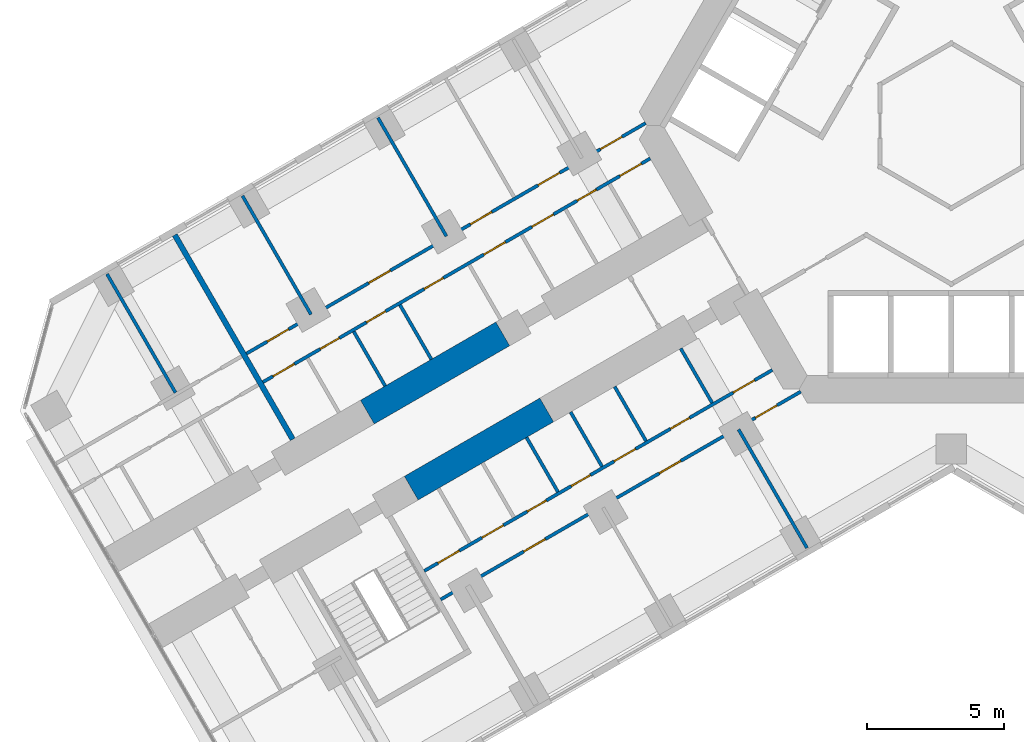
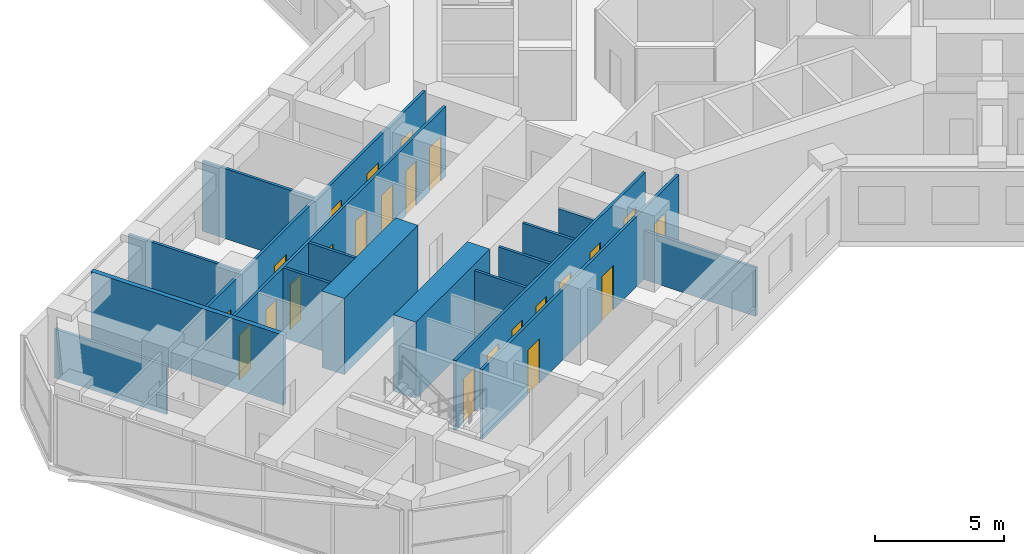
# One storey, part 11 of 21: 23 doors, 17 walls, 23 openings.
"""IFC4 building model written with IfcOpenShell, lengths in metres."""

from ifc_helpers import new_model, si_unit, direction, frame, frame_2d, origin, place, context, subcontext, project, spatial, rectangle, extrude, material, layer, layer_set, type_object, element, fill, save


model = new_model("IFC4")

# Units and contexts
model_context = context("Model", 3, precision=1e-05, world=origin(), true_north=direction((0.0, 1.0)))
body_context = subcontext(model_context, "Body", "Model", "MODEL_VIEW")
ifc_project = project(units=[si_unit("LENGTHUNIT", "METRE"), si_unit("AREAUNIT", "SQUARE_METRE"), si_unit("VOLUMEUNIT", "CUBIC_METRE"), si_unit("PLANEANGLEUNIT", "RADIAN"), si_unit("MASSUNIT", "GRAM", prefix="KILO")], contexts=[model_context])

# Site, building, storey
site_placement = place(None, origin())
site = spatial("IfcSite", under=ifc_project, at=site_placement, CompositionType="ELEMENT")
building_placement = place(site_placement, origin())
building = spatial("IfcBuilding", under=site, at=building_placement, Name="Kosmar Iwan School Tower", CompositionType="ELEMENT")
storey_placement = place(building_placement, frame((0.0, 0.0, 28.800048828125)))
storey = spatial("IfcBuildingStorey", under=building, at=storey_placement, Name="L06", CompositionType="ELEMENT", Elevation=28.800048828125)

# Walls
ifc_material_1 = material(Name="Concrete C50/60", Category="concrete")
ifc_layer_1 = layer(ifc_material_1, 1.0)
ifc_layer_set_1 = layer_set([ifc_layer_1], Name="Corridor buttress wall 1000")
wall_type_1 = type_object("IfcWallType", Name="Corridor buttress wall 1000", PredefinedType="SHEAR", material=ifc_layer_set_1)
for number, where, z_axis, x_axis, name in (
    (1, (-14.7451171875, -10.360595703125, 0.0), (0.0, 0.0, 1.0), (-0.866015111908, -0.50001782563, 0.0), "Corridor wall BL bay 2"),
    (2, (-16.34521484375, -7.58935546875, 0.0), (0.0, 0.0, 1.0), (-0.866015111908, -0.50001782563, 0.0), "Corridor wall BR bay 2"),
):
    element("IfcWall", number, at=place(storey_placement, frame(where, z_axis=z_axis, x_axis=x_axis)), inside=storey, type_object=wall_type_1, Name=name, PredefinedType="SHEAR", context=body_context, shape_type="SweptSolid", body=[
        extrude(rectangle(XDim=5.699951171875, YDim=1.0, at=frame_2d((2.85009765625, 0.0))), origin(), (0.0, 0.0, 1.0), 3.599853515625),
    ])

# Wall, openings, doors
ifc_material_2 = material(Name="Gypsum board on steel studs", Category="steel")
ifc_layer_2 = layer(ifc_material_2, 0.1201171875)
ifc_layer_set_2 = layer_set([ifc_layer_2], Name="Dwelling partition 120")
wall_type_2 = type_object("IfcWallType", Name="Dwelling partition 120", PredefinedType="PARTITIONING", material=ifc_layer_set_2)
wall_1_placement = place(storey_placement, frame((-6.521728515625, -8.90380859375, 0.0), z_axis=(0.0, 0.0, 1.0), x_axis=(-0.866030734856, -0.4999907662, 0.0)))
wall_1 = element("IfcWall", 3, at=wall_1_placement, inside=storey, type_object=wall_type_2, Name="Partition L06-BL1-W1", PredefinedType="PARTITIONING", context=body_context, shape_type="SweptSolid", body=[
    extrude(rectangle(XDim=14.650146484375, YDim=0.1201171875, at=frame_2d((7.3251953125, 0.0))), origin(), (0.0, 0.0, 1.0), 3.300048828125),
])
opening_1_placement = place(wall_1_placement, frame((0.75, 0.0, 0.0)))
opening_1 = element("IfcOpeningElement", 4, at=opening_1_placement, cuts=wall_1, Name="Opening D2", PredefinedType="OPENING", context=body_context, shape_type="SweptSolid", body=[
    extrude(rectangle(XDim=0.89990234375, YDim=2.10009765625, at=frame_2d((0.449951171875, 1.050048828125))), frame((0.0, 0.072021484375, 0.0), z_axis=(0.0, -1.0, 0.0), x_axis=(1.0, 0.0, 0.0)), (0.0, 0.0, 1.0), 0.14404296875),
])
opening_2_placement = place(wall_1_placement, frame((3.490478515625, 0.0, 0.0)))
opening_2 = element("IfcOpeningElement", 5, at=opening_2_placement, cuts=wall_1, Name="Opening D3", PredefinedType="OPENING", context=body_context, shape_type="SweptSolid", body=[
    extrude(rectangle(XDim=0.800048828125, YDim=2.10009765625, at=frame_2d((0.39990234375, 1.050048828125))), frame((0.0, 0.072021484375, 0.0), z_axis=(0.0, -1.0, 0.0), x_axis=(1.0, 0.0, 0.0)), (0.0, 0.0, 1.0), 0.14404296875),
])
opening_3_placement = place(wall_1_placement, frame((5.7578125, 0.0, 0.0)))
opening_3 = element("IfcOpeningElement", 6, at=opening_3_placement, cuts=wall_1, Name="Opening D2", PredefinedType="OPENING", context=body_context, shape_type="SweptSolid", body=[
    extrude(rectangle(XDim=0.89990234375, YDim=2.10009765625, at=frame_2d((0.449951171875, 1.050048828125))), frame((0.0, 0.072021484375, 0.0), z_axis=(0.0, -1.0, 0.0), x_axis=(1.0, 0.0, 0.0)), (0.0, 0.0, 1.0), 0.14404296875),
])
opening_4_placement = place(wall_1_placement, frame((7.66162109375, 0.0, 0.0)))
opening_4 = element("IfcOpeningElement", 7, at=opening_4_placement, cuts=wall_1, Name="Opening D3", PredefinedType="OPENING", context=body_context, shape_type="SweptSolid", body=[
    extrude(rectangle(XDim=0.800048828125, YDim=2.10009765625, at=frame_2d((0.39990234375, 1.050048828125))), frame((0.0, 0.072021484375, 0.0), z_axis=(0.0, -1.0, 0.0), x_axis=(1.0, 0.0, 0.0)), (0.0, 0.0, 1.0), 0.14404296875),
])
opening_5_placement = place(wall_1_placement, frame((9.515380859375, 0.0, 0.0)))
opening_5 = element("IfcOpeningElement", 8, at=opening_5_placement, cuts=wall_1, Name="Opening D3", PredefinedType="OPENING", context=body_context, shape_type="SweptSolid", body=[
    extrude(rectangle(XDim=0.800048828125, YDim=2.10009765625, at=frame_2d((0.39990234375, 1.050048828125))), frame((0.0, 0.072021484375, 0.0), z_axis=(0.0, -1.0, 0.0), x_axis=(1.0, 0.0, 0.0)), (0.0, 0.0, 1.0), 0.14404296875),
])
opening_6_placement = place(wall_1_placement, frame((11.3193359375, 0.0, 0.0)))
opening_6 = element("IfcOpeningElement", 9, at=opening_6_placement, cuts=wall_1, Name="Opening D2", PredefinedType="OPENING", context=body_context, shape_type="SweptSolid", body=[
    extrude(rectangle(XDim=0.89990234375, YDim=2.10009765625, at=frame_2d((0.449951171875, 1.050048828125))), frame((0.0, 0.072021484375, 0.0), z_axis=(0.0, -1.0, 0.0), x_axis=(1.0, 0.0, 0.0)), (0.0, 0.0, 1.0), 0.14404296875),
])
opening_7_placement = place(wall_1_placement, frame((13.173095703125, 0.0, 0.0)))
opening_7 = element("IfcOpeningElement", 10, at=opening_7_placement, cuts=wall_1, Name="Opening D2", PredefinedType="OPENING", context=body_context, shape_type="SweptSolid", body=[
    extrude(rectangle(XDim=0.89990234375, YDim=2.10009765625, at=frame_2d((0.449951171875, 1.050048828125))), frame((0.0, 0.072021484375, 0.0), z_axis=(0.0, -1.0, 0.0), x_axis=(1.0, 0.0, 0.0)), (0.0, 0.0, 1.0), 0.14404296875),
])
ifc_material_3 = material(Name="Timber door in timber frame", Category="wood")
door_type_1 = type_object("IfcDoorType", Name="Internal door 900x2100", OperationType="SINGLE_SWING_LEFT", PredefinedType="DOOR", material=ifc_material_3)
door_1_placement = place(opening_1_placement, origin())
door_1 = element("IfcDoor", 11, at=door_1_placement, inside=storey, type_object=door_type_1, Name="Entrance hall door L06-BL1-S1", OperationType="SINGLE_SWING_LEFT", OverallHeight=2.10009765625, OverallWidth=0.89990234375, PredefinedType="DOOR", context=body_context, shape_type="SweptSolid", body=[
    extrude(rectangle(XDim=0.89990234375, YDim=2.10009765625, at=frame_2d((0.449951171875, 1.050048828125))), frame((0.0, 0.02490234375, 0.0), z_axis=(0.0, -1.0, 0.0), x_axis=(1.0, 0.0, 0.0)), (0.0, 0.0, 1.0), 0.050048828125),
])
fill(opening_1, door_1)
door_2_placement = place(opening_3_placement, origin())
door_2 = element("IfcDoor", 12, at=door_2_placement, inside=storey, type_object=door_type_1, Name="Pantry door L06-BL1-S3", OperationType="SINGLE_SWING_LEFT", OverallHeight=2.10009765625, OverallWidth=0.89990234375, PredefinedType="DOOR", context=body_context, shape_type="SweptSolid", body=[
    extrude(rectangle(XDim=0.89990234375, YDim=2.10009765625, at=frame_2d((0.449951171875, 1.050048828125))), frame((0.0, 0.02490234375, 0.0), z_axis=(0.0, -1.0, 0.0), x_axis=(1.0, 0.0, 0.0)), (0.0, 0.0, 1.0), 0.050048828125),
])
fill(opening_3, door_2)
door_3_placement = place(opening_6_placement, origin())
door_3 = element("IfcDoor", 13, at=door_3_placement, inside=storey, type_object=door_type_1, Name="Utility room door L06-BL1-S6", OperationType="SINGLE_SWING_RIGHT", OverallHeight=2.10009765625, OverallWidth=0.89990234375, PredefinedType="DOOR", context=body_context, shape_type="SweptSolid", body=[
    extrude(rectangle(XDim=0.89990234375, YDim=2.10009765625, at=frame_2d((0.449951171875, 1.050048828125))), frame((0.0, 0.02490234375, 0.0), z_axis=(0.0, -1.0, 0.0), x_axis=(1.0, 0.0, 0.0)), (0.0, 0.0, 1.0), 0.050048828125),
])
fill(opening_6, door_3)
door_4_placement = place(opening_7_placement, frame((0.89990234375, 0.0, 0.0), z_axis=(0.0, 0.0, 1.0), x_axis=(-1.0, 0.0, 0.0)))
door_4 = element("IfcDoor", 14, at=door_4_placement, inside=storey, type_object=door_type_1, Name="Dressing room door L06-BL1-S7", OperationType="SINGLE_SWING_LEFT", OverallHeight=2.10009765625, OverallWidth=0.89990234375, PredefinedType="DOOR", context=body_context, shape_type="SweptSolid", body=[
    extrude(rectangle(XDim=0.89990234375, YDim=2.10009765625, at=frame_2d((0.449951171875, 1.050048828125))), frame((0.0, 0.02490234375, 0.0), z_axis=(0.0, -1.0, 0.0), x_axis=(1.0, 0.0, 0.0)), (0.0, 0.0, 1.0), 0.050048828125),
])
fill(opening_7, door_4)
ifc_material_4 = material(Name="Timber door in timber frame", Category="wood")
door_type_2 = type_object("IfcDoorType", Name="Sanitary room door 800x2100", OperationType="SINGLE_SWING_LEFT", PredefinedType="DOOR", material=ifc_material_4)
door_5_placement = place(opening_2_placement, origin())
door_5 = element("IfcDoor", 15, at=door_5_placement, inside=storey, type_object=door_type_2, Name="Bathroom door L06-BL1-S2", OperationType="SINGLE_SWING_LEFT", OverallHeight=2.10009765625, OverallWidth=0.800048828125, PredefinedType="DOOR", context=body_context, shape_type="SweptSolid", body=[
    extrude(rectangle(XDim=0.800048828125, YDim=2.10009765625, at=frame_2d((0.39990234375, 1.050048828125))), frame((0.0, 0.02490234375, 0.0), z_axis=(0.0, -1.0, 0.0), x_axis=(1.0, 0.0, 0.0)), (0.0, 0.0, 1.0), 0.050048828125),
])
fill(opening_2, door_5)
door_6_placement = place(opening_4_placement, origin())
door_6 = element("IfcDoor", 16, at=door_6_placement, inside=storey, type_object=door_type_2, Name="WC door L06-BL1-S4", OperationType="SINGLE_SWING_RIGHT", OverallHeight=2.10009765625, OverallWidth=0.800048828125, PredefinedType="DOOR", context=body_context, shape_type="SweptSolid", body=[
    extrude(rectangle(XDim=0.800048828125, YDim=2.10009765625, at=frame_2d((0.39990234375, 1.050048828125))), frame((0.0, 0.02490234375, 0.0), z_axis=(0.0, -1.0, 0.0), x_axis=(1.0, 0.0, 0.0)), (0.0, 0.0, 1.0), 0.050048828125),
])
fill(opening_4, door_6)
door_7_placement = place(opening_5_placement, origin())
door_7 = element("IfcDoor", 17, at=door_7_placement, inside=storey, type_object=door_type_2, Name="Store door L06-BL1-S5", OperationType="SINGLE_SWING_RIGHT", OverallHeight=2.10009765625, OverallWidth=0.800048828125, PredefinedType="DOOR", context=body_context, shape_type="SweptSolid", body=[
    extrude(rectangle(XDim=0.800048828125, YDim=2.10009765625, at=frame_2d((0.39990234375, 1.050048828125))), frame((0.0, 0.02490234375, 0.0), z_axis=(0.0, -1.0, 0.0), x_axis=(1.0, 0.0, 0.0)), (0.0, 0.0, 1.0), 0.050048828125),
])
fill(opening_5, door_7)

wall_2_placement = place(storey_placement, frame((-5.48876953125, -9.693115234375, 0.0), z_axis=(0.0, 0.0, 1.0), x_axis=(-0.866028061085, -0.499995397393, 0.0)))
wall_2 = element("IfcWall", 18, at=wall_2_placement, inside=storey, type_object=wall_type_2, Name="Partition L06-BL1-W2", PredefinedType="PARTITIONING", context=body_context, shape_type="SweptSolid", body=[
    extrude(rectangle(XDim=15.150146484375, YDim=0.1201171875, at=frame_2d((7.5751953125, 0.0))), origin(), (0.0, 0.0, 1.0), 3.300048828125),
])
opening_8_placement = place(wall_2_placement, frame((1.0, 0.0, 0.0)))
opening_8 = element("IfcOpeningElement", 19, at=opening_8_placement, cuts=wall_2, Name="Opening D2", PredefinedType="OPENING", context=body_context, shape_type="SweptSolid", body=[
    extrude(rectangle(XDim=0.89990234375, YDim=2.10009765625, at=frame_2d((0.449951171875, 1.050048828125))), frame((0.0, 0.072021484375, 0.0), z_axis=(0.0, -1.0, 0.0), x_axis=(1.0, 0.0, 0.0)), (0.0, 0.0, 1.0), 0.14404296875),
])
opening_9_placement = place(wall_2_placement, frame((5.050048828125, 0.0, 0.0)))
opening_9 = element("IfcOpeningElement", 20, at=opening_9_placement, cuts=wall_2, Name="Opening D2", PredefinedType="OPENING", context=body_context, shape_type="SweptSolid", body=[
    extrude(rectangle(XDim=0.89990234375, YDim=2.10009765625, at=frame_2d((0.449951171875, 1.050048828125))), frame((0.0, 0.072021484375, 0.0), z_axis=(0.0, -1.0, 0.0), x_axis=(1.0, 0.0, 0.0)), (0.0, 0.0, 1.0), 0.14404296875),
])
opening_10_placement = place(wall_2_placement, frame((10.75, 0.0, 0.0)))
opening_10 = element("IfcOpeningElement", 21, at=opening_10_placement, cuts=wall_2, Name="Opening D2", PredefinedType="OPENING", context=body_context, shape_type="SweptSolid", body=[
    extrude(rectangle(XDim=0.89990234375, YDim=2.10009765625, at=frame_2d((0.449951171875, 1.050048828125))), frame((0.0, 0.072021484375, 0.0), z_axis=(0.0, -1.0, 0.0), x_axis=(1.0, 0.0, 0.0)), (0.0, 0.0, 1.0), 0.14404296875),
])
door_8_placement = place(opening_8_placement, origin())
door_8 = element("IfcDoor", 22, at=door_8_placement, inside=storey, type_object=door_type_1, Name="Bedroom 1 door L06-BL1-F1", OperationType="SINGLE_SWING_LEFT", OverallHeight=2.10009765625, OverallWidth=0.89990234375, PredefinedType="DOOR", context=body_context, shape_type="SweptSolid", body=[
    extrude(rectangle(XDim=0.89990234375, YDim=2.10009765625, at=frame_2d((0.449951171875, 1.050048828125))), frame((0.0, 0.02490234375, 0.0), z_axis=(0.0, -1.0, 0.0), x_axis=(1.0, 0.0, 0.0)), (0.0, 0.0, 1.0), 0.050048828125),
])
fill(opening_8, door_8)
door_9_placement = place(opening_9_placement, origin())
door_9 = element("IfcDoor", 23, at=door_9_placement, inside=storey, type_object=door_type_1, Name="Study door L06-BL1-F2", OperationType="SINGLE_SWING_RIGHT", OverallHeight=2.10009765625, OverallWidth=0.89990234375, PredefinedType="DOOR", context=body_context, shape_type="SweptSolid", body=[
    extrude(rectangle(XDim=0.89990234375, YDim=2.10009765625, at=frame_2d((0.449951171875, 1.050048828125))), frame((0.0, 0.02490234375, 0.0), z_axis=(0.0, -1.0, 0.0), x_axis=(1.0, 0.0, 0.0)), (0.0, 0.0, 1.0), 0.050048828125),
])
fill(opening_9, door_9)
door_10_placement = place(opening_10_placement, origin())
door_10 = element("IfcDoor", 24, at=door_10_placement, inside=storey, type_object=door_type_1, Name="Living room and kitchen door L06-BL1-F3", OperationType="SINGLE_SWING_LEFT", OverallHeight=2.10009765625, OverallWidth=0.89990234375, PredefinedType="DOOR", context=body_context, shape_type="SweptSolid", body=[
    extrude(rectangle(XDim=0.89990234375, YDim=2.10009765625, at=frame_2d((0.449951171875, 1.050048828125))), frame((0.0, 0.02490234375, 0.0), z_axis=(0.0, -1.0, 0.0), x_axis=(1.0, 0.0, 0.0)), (0.0, 0.0, 1.0), 0.050048828125),
])
fill(opening_10, door_10)

# Walls
wall_3_placement = place(storey_placement, frame((-7.75390625, -11.070068359375, 0.0), z_axis=(0.0, 0.0, 1.0), x_axis=(0.500033033937, -0.866006330792, 0.0)))
element("IfcWall", 25, at=wall_3_placement, inside=storey, type_object=wall_type_2, Name="Partition L06-BL1-X1", PredefinedType="PARTITIONING", context=body_context, shape_type="SweptSolid", body=[
    extrude(rectangle(XDim=4.989990234375, YDim=0.1201171875, at=frame_2d((2.4951171875, 0.0))), origin(), (0.0, 0.0, 1.0), 2.300048828125),
])
wall_4_placement = place(storey_placement, frame((-9.86181640625, -8.11865234375, 0.0), z_axis=(0.0, 0.0, 1.0), x_axis=(0.500014693593, -0.866016920268, 0.0)))
element("IfcWall", 26, at=wall_4_placement, inside=storey, type_object=wall_type_2, Name="Partition L06-BL1-Y1", PredefinedType="PARTITIONING", context=body_context, shape_type="SweptSolid", body=[
    extrude(rectangle(XDim=2.2900390625, YDim=0.1201171875, at=frame_2d((1.14501953125, 0.0))), origin(), (0.0, 0.0, 1.0), 2.300048828125),
])
for number, where, z_axis, x_axis, name in (
    (27, (-12.270263671875, -9.509033203125, 0.0), (0.0, 0.0, 1.0), (0.500014693593, -0.866016920268, 0.0), "Partition L06-BL1-Y2"),
    (28, (-13.875732421875, -10.43603515625, 0.0), (0.0, 0.0, 1.0), (0.500014693593, -0.866016920268, 0.0), "Partition L06-BL1-Y3"),
):
    element("IfcWall", number, at=place(storey_placement, frame(where, z_axis=z_axis, x_axis=x_axis)), inside=storey, type_object=wall_type_2, Name=name, PredefinedType="PARTITIONING", context=body_context, shape_type="SweptSolid", body=[
        extrude(rectangle(XDim=2.2900390625, YDim=0.1201171875, at=frame_2d((1.14501953125, 0.0))), origin(), (0.0, 0.0, 1.0), 3.300048828125),
    ])
wall_5_placement = place(storey_placement, frame((-15.481201171875, -11.36279296875, 0.0), z_axis=(0.0, 0.0, 1.0), x_axis=(0.499968531483, -0.866043571379, 0.0)))
element("IfcWall", 29, at=wall_5_placement, inside=storey, type_object=wall_type_2, Name="Partition L06-BL1-Y4", PredefinedType="PARTITIONING", context=body_context, shape_type="SweptSolid", body=[
    extrude(rectangle(XDim=2.290283203125, YDim=0.1201171875, at=frame_2d((1.14501953125, 0.0))), origin(), (0.0, 0.0, 1.0), 3.300048828125),
])

# Wall, openings, doors
wall_6_placement = place(storey_placement, frame((-10.971923828125, -1.1962890625, 0.0), z_axis=(0.0, 0.0, 1.0), x_axis=(-0.866027949815, -0.49999559012, 0.0)))
wall_6 = element("IfcWall", 30, at=wall_6_placement, inside=storey, type_object=wall_type_2, Name="Partition L06-BR1-W1", PredefinedType="PARTITIONING", context=body_context, shape_type="SweptSolid", body=[
    extrude(rectangle(XDim=16.300048828125, YDim=0.1201171875, at=frame_2d((8.14990234375, 0.0))), origin(), (0.0, 0.0, 1.0), 3.300048828125),
])
opening_11_placement = place(wall_6_placement, frame((0.375, 0.0, 0.0)))
opening_11 = element("IfcOpeningElement", 31, at=opening_11_placement, cuts=wall_6, Name="Opening D2", PredefinedType="OPENING", context=body_context, shape_type="SweptSolid", body=[
    extrude(rectangle(XDim=0.89990234375, YDim=2.10009765625, at=frame_2d((0.449951171875, 1.050048828125))), frame((0.0, 0.072021484375, 0.0), z_axis=(0.0, -1.0, 0.0), x_axis=(1.0, 0.0, 0.0)), (0.0, 0.0, 1.0), 0.14404296875),
])
opening_12_placement = place(wall_6_placement, frame((2.27490234375, 0.0, 0.0)))
opening_12 = element("IfcOpeningElement", 32, at=opening_12_placement, cuts=wall_6, Name="Opening D3", PredefinedType="OPENING", context=body_context, shape_type="SweptSolid", body=[
    extrude(rectangle(XDim=0.800048828125, YDim=2.10009765625, at=frame_2d((0.39990234375, 1.050048828125))), frame((0.0, 0.072021484375, 0.0), z_axis=(0.0, -1.0, 0.0), x_axis=(1.0, 0.0, 0.0)), (0.0, 0.0, 1.0), 0.14404296875),
])
opening_13_placement = place(wall_6_placement, frame((4.074951171875, 0.0, 0.0)))
opening_13 = element("IfcOpeningElement", 33, at=opening_13_placement, cuts=wall_6, Name="Opening D2", PredefinedType="OPENING", context=body_context, shape_type="SweptSolid", body=[
    extrude(rectangle(XDim=0.89990234375, YDim=2.10009765625, at=frame_2d((0.449951171875, 1.050048828125))), frame((0.0, 0.072021484375, 0.0), z_axis=(0.0, -1.0, 0.0), x_axis=(1.0, 0.0, 0.0)), (0.0, 0.0, 1.0), 0.14404296875),
])
opening_14_placement = place(wall_6_placement, frame((6.10009765625, 0.0, 0.0)))
opening_14 = element("IfcOpeningElement", 34, at=opening_14_placement, cuts=wall_6, Name="Opening D2", PredefinedType="OPENING", context=body_context, shape_type="SweptSolid", body=[
    extrude(rectangle(XDim=0.89990234375, YDim=2.10009765625, at=frame_2d((0.449951171875, 1.050048828125))), frame((0.0, 0.072021484375, 0.0), z_axis=(0.0, -1.0, 0.0), x_axis=(1.0, 0.0, 0.0)), (0.0, 0.0, 1.0), 0.14404296875),
])
opening_15_placement = place(wall_6_placement, frame((8.708251953125, 0.0, 0.0)))
opening_15 = element("IfcOpeningElement", 35, at=opening_15_placement, cuts=wall_6, Name="Opening D3", PredefinedType="OPENING", context=body_context, shape_type="SweptSolid", body=[
    extrude(rectangle(XDim=0.800048828125, YDim=2.10009765625, at=frame_2d((0.39990234375, 1.050048828125))), frame((0.0, 0.072021484375, 0.0), z_axis=(0.0, -1.0, 0.0), x_axis=(1.0, 0.0, 0.0)), (0.0, 0.0, 1.0), 0.14404296875),
])
opening_16_placement = place(wall_6_placement, frame((11.138916015625, 0.0, 0.0)))
opening_16 = element("IfcOpeningElement", 36, at=opening_16_placement, cuts=wall_6, Name="Opening D3", PredefinedType="OPENING", context=body_context, shape_type="SweptSolid", body=[
    extrude(rectangle(XDim=0.800048828125, YDim=2.10009765625, at=frame_2d((0.39990234375, 1.050048828125))), frame((0.0, 0.072021484375, 0.0), z_axis=(0.0, -1.0, 0.0), x_axis=(1.0, 0.0, 0.0)), (0.0, 0.0, 1.0), 0.14404296875),
])
opening_17_placement = place(wall_6_placement, frame((13.083251953125, 0.0, 0.0)))
opening_17 = element("IfcOpeningElement", 37, at=opening_17_placement, cuts=wall_6, Name="Opening D3", PredefinedType="OPENING", context=body_context, shape_type="SweptSolid", body=[
    extrude(rectangle(XDim=0.800048828125, YDim=2.10009765625, at=frame_2d((0.39990234375, 1.050048828125))), frame((0.0, 0.072021484375, 0.0), z_axis=(0.0, -1.0, 0.0), x_axis=(1.0, 0.0, 0.0)), (0.0, 0.0, 1.0), 0.14404296875),
])
opening_18_placement = place(wall_6_placement, frame((14.977783203125, 0.0, 0.0)))
opening_18 = element("IfcOpeningElement", 38, at=opening_18_placement, cuts=wall_6, Name="Opening D2", PredefinedType="OPENING", context=body_context, shape_type="SweptSolid", body=[
    extrude(rectangle(XDim=0.89990234375, YDim=2.10009765625, at=frame_2d((0.449951171875, 1.050048828125))), frame((0.0, 0.072021484375, 0.0), z_axis=(0.0, -1.0, 0.0), x_axis=(1.0, 0.0, 0.0)), (0.0, 0.0, 1.0), 0.14404296875),
])
door_11_placement = place(opening_11_placement, origin())
door_11 = element("IfcDoor", 39, at=door_11_placement, inside=storey, type_object=door_type_1, Name="Dressing room door L06-BR1-S1", OperationType="SINGLE_SWING_LEFT", OverallHeight=2.10009765625, OverallWidth=0.89990234375, PredefinedType="DOOR", context=body_context, shape_type="SweptSolid", body=[
    extrude(rectangle(XDim=0.89990234375, YDim=2.10009765625, at=frame_2d((0.449951171875, 1.050048828125))), frame((0.0, 0.02490234375, 0.0), z_axis=(0.0, -1.0, 0.0), x_axis=(1.0, 0.0, 0.0)), (0.0, 0.0, 1.0), 0.050048828125),
])
fill(opening_11, door_11)
door_12_placement = place(opening_13_placement, origin())
door_12 = element("IfcDoor", 40, at=door_12_placement, inside=storey, type_object=door_type_1, Name="Pantry door L06-BR1-S3", OperationType="SINGLE_SWING_LEFT", OverallHeight=2.10009765625, OverallWidth=0.89990234375, PredefinedType="DOOR", context=body_context, shape_type="SweptSolid", body=[
    extrude(rectangle(XDim=0.89990234375, YDim=2.10009765625, at=frame_2d((0.449951171875, 1.050048828125))), frame((0.0, 0.02490234375, 0.0), z_axis=(0.0, -1.0, 0.0), x_axis=(1.0, 0.0, 0.0)), (0.0, 0.0, 1.0), 0.050048828125),
])
fill(opening_13, door_12)
door_13_placement = place(opening_14_placement, origin())
door_13 = element("IfcDoor", 41, at=door_13_placement, inside=storey, type_object=door_type_1, Name="Entrance hall door L06-BR1-S4", OperationType="SINGLE_SWING_RIGHT", OverallHeight=2.10009765625, OverallWidth=0.89990234375, PredefinedType="DOOR", context=body_context, shape_type="SweptSolid", body=[
    extrude(rectangle(XDim=0.89990234375, YDim=2.10009765625, at=frame_2d((0.449951171875, 1.050048828125))), frame((0.0, 0.02490234375, 0.0), z_axis=(0.0, -1.0, 0.0), x_axis=(1.0, 0.0, 0.0)), (0.0, 0.0, 1.0), 0.050048828125),
])
fill(opening_14, door_13)
door_14_placement = place(opening_18_placement, origin())
door_14 = element("IfcDoor", 42, at=door_14_placement, inside=storey, type_object=door_type_1, Name="Utility room door L06-BR1-S8", OperationType="SINGLE_SWING_RIGHT", OverallHeight=2.10009765625, OverallWidth=0.89990234375, PredefinedType="DOOR", context=body_context, shape_type="SweptSolid", body=[
    extrude(rectangle(XDim=0.89990234375, YDim=2.10009765625, at=frame_2d((0.449951171875, 1.050048828125))), frame((0.0, 0.02490234375, 0.0), z_axis=(0.0, -1.0, 0.0), x_axis=(1.0, 0.0, 0.0)), (0.0, 0.0, 1.0), 0.050048828125),
])
fill(opening_18, door_14)
door_15_placement = place(opening_12_placement, origin())
door_15 = element("IfcDoor", 43, at=door_15_placement, inside=storey, type_object=door_type_2, Name="Store door L06-BR1-S2", OperationType="SINGLE_SWING_RIGHT", OverallHeight=2.10009765625, OverallWidth=0.800048828125, PredefinedType="DOOR", context=body_context, shape_type="SweptSolid", body=[
    extrude(rectangle(XDim=0.800048828125, YDim=2.10009765625, at=frame_2d((0.39990234375, 1.050048828125))), frame((0.0, 0.02490234375, 0.0), z_axis=(0.0, -1.0, 0.0), x_axis=(1.0, 0.0, 0.0)), (0.0, 0.0, 1.0), 0.050048828125),
])
fill(opening_12, door_15)
door_16_placement = place(opening_15_placement, origin())
door_16 = element("IfcDoor", 44, at=door_16_placement, inside=storey, type_object=door_type_2, Name="Bathroom door L06-BR1-S5", OperationType="SINGLE_SWING_LEFT", OverallHeight=2.10009765625, OverallWidth=0.800048828125, PredefinedType="DOOR", context=body_context, shape_type="SweptSolid", body=[
    extrude(rectangle(XDim=0.800048828125, YDim=2.10009765625, at=frame_2d((0.39990234375, 1.050048828125))), frame((0.0, 0.02490234375, 0.0), z_axis=(0.0, -1.0, 0.0), x_axis=(1.0, 0.0, 0.0)), (0.0, 0.0, 1.0), 0.050048828125),
])
fill(opening_15, door_16)
door_17_placement = place(opening_16_placement, origin())
door_17 = element("IfcDoor", 45, at=door_17_placement, inside=storey, type_object=door_type_2, Name="Shower room door L06-BR1-S6", OperationType="SINGLE_SWING_RIGHT", OverallHeight=2.10009765625, OverallWidth=0.800048828125, PredefinedType="DOOR", context=body_context, shape_type="SweptSolid", body=[
    extrude(rectangle(XDim=0.800048828125, YDim=2.10009765625, at=frame_2d((0.39990234375, 1.050048828125))), frame((0.0, 0.02490234375, 0.0), z_axis=(0.0, -1.0, 0.0), x_axis=(1.0, 0.0, 0.0)), (0.0, 0.0, 1.0), 0.050048828125),
])
fill(opening_16, door_17)
door_18_placement = place(opening_17_placement, origin())
door_18 = element("IfcDoor", 46, at=door_18_placement, inside=storey, type_object=door_type_2, Name="WC door L06-BR1-S7", OperationType="SINGLE_SWING_LEFT", OverallHeight=2.10009765625, OverallWidth=0.800048828125, PredefinedType="DOOR", context=body_context, shape_type="SweptSolid", body=[
    extrude(rectangle(XDim=0.800048828125, YDim=2.10009765625, at=frame_2d((0.39990234375, 1.050048828125))), frame((0.0, 0.02490234375, 0.0), z_axis=(0.0, -1.0, 0.0), x_axis=(1.0, 0.0, 0.0)), (0.0, 0.0, 1.0), 0.050048828125),
])
fill(opening_17, door_18)

wall_7_placement = place(storey_placement, frame((-11.138916015625, 0.093017578125, 0.0), z_axis=(0.0, 0.0, 1.0), x_axis=(-0.86602562146, -0.499999622975, 0.0)))
wall_7 = element("IfcWall", 47, at=wall_7_placement, inside=storey, type_object=wall_type_2, Name="Partition L06-BR1-W2", PredefinedType="PARTITIONING", context=body_context, shape_type="SweptSolid", body=[
    extrude(rectangle(XDim=16.7998046875, YDim=0.1201171875, at=frame_2d((8.39990234375, 0.0))), origin(), (0.0, 0.0, 1.0), 3.300048828125),
])
opening_19_placement = place(wall_7_placement, frame((1.0, 0.0, 0.0)))
opening_19 = element("IfcOpeningElement", 48, at=opening_19_placement, cuts=wall_7, Name="Opening D2", PredefinedType="OPENING", context=body_context, shape_type="SweptSolid", body=[
    extrude(rectangle(XDim=0.89990234375, YDim=2.10009765625, at=frame_2d((0.449951171875, 1.050048828125))), frame((0.0, 0.072021484375, 0.0), z_axis=(0.0, -1.0, 0.0), x_axis=(1.0, 0.0, 0.0)), (0.0, 0.0, 1.0), 0.14404296875),
])
opening_20_placement = place(wall_7_placement, frame((3.625, 0.0, 0.0)))
opening_20 = element("IfcOpeningElement", 49, at=opening_20_placement, cuts=wall_7, Name="Opening D2", PredefinedType="OPENING", context=body_context, shape_type="SweptSolid", body=[
    extrude(rectangle(XDim=0.89990234375, YDim=2.10009765625, at=frame_2d((0.449951171875, 1.050048828125))), frame((0.0, 0.072021484375, 0.0), z_axis=(0.0, -1.0, 0.0), x_axis=(1.0, 0.0, 0.0)), (0.0, 0.0, 1.0), 0.14404296875),
])
opening_21_placement = place(wall_7_placement, frame((6.47509765625, 0.0, 0.0)))
opening_21 = element("IfcOpeningElement", 50, at=opening_21_placement, cuts=wall_7, Name="Opening D2", PredefinedType="OPENING", context=body_context, shape_type="SweptSolid", body=[
    extrude(rectangle(XDim=0.89990234375, YDim=2.10009765625, at=frame_2d((0.449951171875, 1.050048828125))), frame((0.0, 0.072021484375, 0.0), z_axis=(0.0, -1.0, 0.0), x_axis=(1.0, 0.0, 0.0)), (0.0, 0.0, 1.0), 0.14404296875),
])
opening_22_placement = place(wall_7_placement, frame((10.75, 0.0, 0.0)))
opening_22 = element("IfcOpeningElement", 51, at=opening_22_placement, cuts=wall_7, Name="Opening D2", PredefinedType="OPENING", context=body_context, shape_type="SweptSolid", body=[
    extrude(rectangle(XDim=0.89990234375, YDim=2.10009765625, at=frame_2d((0.449951171875, 1.050048828125))), frame((0.0, 0.072021484375, 0.0), z_axis=(0.0, -1.0, 0.0), x_axis=(1.0, 0.0, 0.0)), (0.0, 0.0, 1.0), 0.14404296875),
])
opening_23_placement = place(wall_7_placement, frame((15.02490234375, 0.0, 0.0)))
opening_23 = element("IfcOpeningElement", 52, at=opening_23_placement, cuts=wall_7, Name="Opening D2", PredefinedType="OPENING", context=body_context, shape_type="SweptSolid", body=[
    extrude(rectangle(XDim=0.89990234375, YDim=2.10009765625, at=frame_2d((0.449951171875, 1.050048828125))), frame((0.0, 0.072021484375, 0.0), z_axis=(0.0, -1.0, 0.0), x_axis=(1.0, 0.0, 0.0)), (0.0, 0.0, 1.0), 0.14404296875),
])
door_19_placement = place(opening_19_placement, origin())
door_19 = element("IfcDoor", 53, at=door_19_placement, inside=storey, type_object=door_type_1, Name="Family room door L06-BR1-F1", OperationType="SINGLE_SWING_LEFT", OverallHeight=2.10009765625, OverallWidth=0.89990234375, PredefinedType="DOOR", context=body_context, shape_type="SweptSolid", body=[
    extrude(rectangle(XDim=0.89990234375, YDim=2.10009765625, at=frame_2d((0.449951171875, 1.050048828125))), frame((0.0, 0.02490234375, 0.0), z_axis=(0.0, -1.0, 0.0), x_axis=(1.0, 0.0, 0.0)), (0.0, 0.0, 1.0), 0.050048828125),
])
fill(opening_19, door_19)
door_20_placement = place(opening_20_placement, origin())
door_20 = element("IfcDoor", 54, at=door_20_placement, inside=storey, type_object=door_type_1, Name="Study door L06-BR1-F2", OperationType="SINGLE_SWING_LEFT", OverallHeight=2.10009765625, OverallWidth=0.89990234375, PredefinedType="DOOR", context=body_context, shape_type="SweptSolid", body=[
    extrude(rectangle(XDim=0.89990234375, YDim=2.10009765625, at=frame_2d((0.449951171875, 1.050048828125))), frame((0.0, 0.02490234375, 0.0), z_axis=(0.0, -1.0, 0.0), x_axis=(1.0, 0.0, 0.0)), (0.0, 0.0, 1.0), 0.050048828125),
])
fill(opening_20, door_20)
door_21_placement = place(opening_21_placement, origin())
door_21 = element("IfcDoor", 55, at=door_21_placement, inside=storey, type_object=door_type_1, Name="Bedroom 1 door L06-BR1-F3", OperationType="SINGLE_SWING_LEFT", OverallHeight=2.10009765625, OverallWidth=0.89990234375, PredefinedType="DOOR", context=body_context, shape_type="SweptSolid", body=[
    extrude(rectangle(XDim=0.89990234375, YDim=2.10009765625, at=frame_2d((0.449951171875, 1.050048828125))), frame((0.0, 0.02490234375, 0.0), z_axis=(0.0, -1.0, 0.0), x_axis=(1.0, 0.0, 0.0)), (0.0, 0.0, 1.0), 0.050048828125),
])
fill(opening_21, door_21)
door_22_placement = place(opening_22_placement, origin())
door_22 = element("IfcDoor", 56, at=door_22_placement, inside=storey, type_object=door_type_1, Name="Living room and kitchen door L06-BR1-F4", OperationType="SINGLE_SWING_RIGHT", OverallHeight=2.10009765625, OverallWidth=0.89990234375, PredefinedType="DOOR", context=body_context, shape_type="SweptSolid", body=[
    extrude(rectangle(XDim=0.89990234375, YDim=2.10009765625, at=frame_2d((0.449951171875, 1.050048828125))), frame((0.0, 0.02490234375, 0.0), z_axis=(0.0, -1.0, 0.0), x_axis=(1.0, 0.0, 0.0)), (0.0, 0.0, 1.0), 0.050048828125),
])
fill(opening_22, door_22)
door_23_placement = place(opening_23_placement, origin())
door_23 = element("IfcDoor", 57, at=door_23_placement, inside=storey, type_object=door_type_1, Name="Bedroom 2 door L06-BR1-F5", OperationType="SINGLE_SWING_RIGHT", OverallHeight=2.10009765625, OverallWidth=0.89990234375, PredefinedType="DOOR", context=body_context, shape_type="SweptSolid", body=[
    extrude(rectangle(XDim=0.89990234375, YDim=2.10009765625, at=frame_2d((0.449951171875, 1.050048828125))), frame((0.0, 0.02490234375, 0.0), z_axis=(0.0, -1.0, 0.0), x_axis=(1.0, 0.0, 0.0)), (0.0, 0.0, 1.0), 0.050048828125),
])
fill(opening_23, door_23)

# Walls
wall_8_placement = place(storey_placement, frame((-18.400146484375, -4.030029296875, 0.0), z_axis=(0.0, 0.0, 1.0), x_axis=(-0.500011847778, 0.866018563358, 0.0)))
element("IfcWall", 58, at=wall_8_placement, inside=storey, type_object=wall_type_2, Name="Partition L06-BR1-X3", PredefinedType="PARTITIONING", context=body_context, shape_type="SweptSolid", body=[
    extrude(rectangle(XDim=4.990234375, YDim=0.1201171875, at=frame_2d((2.4951171875, 0.0))), origin(), (0.0, 0.0, 1.0), 3.300048828125),
])
wall_9_placement = place(storey_placement, frame((-23.33642578125, -6.8798828125, 0.0), z_axis=(0.0, 0.0, 1.0), x_axis=(-0.500033033937, 0.866006330792, 0.0)))
element("IfcWall", 59, at=wall_9_placement, inside=storey, type_object=wall_type_2, Name="Partition L06-BR1-X4", PredefinedType="PARTITIONING", context=body_context, shape_type="SweptSolid", body=[
    extrude(rectangle(XDim=4.989990234375, YDim=0.1201171875, at=frame_2d((2.4951171875, 0.0))), origin(), (0.0, 0.0, 1.0), 3.300048828125),
])
for number, where, z_axis, x_axis, name in (
    (60, (-18.94775390625, -8.5146484375, 0.0), (0.0, 0.0, 1.0), (-0.500014693593, 0.866016920268, 0.0), "Partition L06-BR1-Y5"),
    (61, (-20.6318359375, -9.48681640625, 0.0), (0.0, 0.0, 1.0), (-0.500014693593, 0.866016920268, 0.0), "Partition L06-BR1-Y6"),
):
    element("IfcWall", number, at=place(storey_placement, frame(where, z_axis=z_axis, x_axis=x_axis)), inside=storey, type_object=wall_type_2, Name=name, PredefinedType="PARTITIONING", context=body_context, shape_type="SweptSolid", body=[
        extrude(rectangle(XDim=2.2900390625, YDim=0.1201171875, at=frame_2d((1.14501953125, 0.0))), origin(), (0.0, 0.0, 1.0), 3.300048828125),
    ])
wall_10_placement = place(storey_placement, frame((-28.27294921875, -9.72998046875, 0.0), z_axis=(0.0, 0.0, 1.0), x_axis=(-0.499975153383, 0.86603974851, 0.0)))
element("IfcWall", 62, at=wall_10_placement, inside=storey, type_object=wall_type_2, Name="Partition L06-BR2-X1", PredefinedType="PARTITIONING", context=body_context, shape_type="SweptSolid", body=[
    extrude(rectangle(XDim=4.989990234375, YDim=0.1201171875, at=frame_2d((2.4951171875, 0.0))), origin(), (0.0, 0.0, 1.0), 2.300048828125),
])
ifc_material_5 = material(Name="Concrete block masonry", Category="masonry")
ifc_layer_3 = layer(ifc_material_5, 0.199951171875)
ifc_layer_set_3 = layer_set([ifc_layer_3], Name="Party wall 200")
wall_type_3 = type_object("IfcWallType", Name="Party wall 200", PredefinedType="PARTITIONING", material=ifc_layer_set_3)
wall_11_placement = place(storey_placement, frame((-23.999755859375, -11.431396484375, 0.0), z_axis=(0.0, 0.0, 1.0), x_axis=(-0.499973925258, 0.86604045752, 0.0)))
element("IfcWall", 63, at=wall_11_placement, inside=storey, type_object=wall_type_3, Name="Partition L06-BR2-PW", PredefinedType="PARTITIONING", context=body_context, shape_type="SweptSolid", body=[
    extrude(rectangle(XDim=8.60009765625, YDim=0.199951171875, at=frame_2d((4.300048828125, 0.0))), origin(), (0.0, 0.0, 1.0), 3.300048828125),
])

save(model, "model.ifc")
